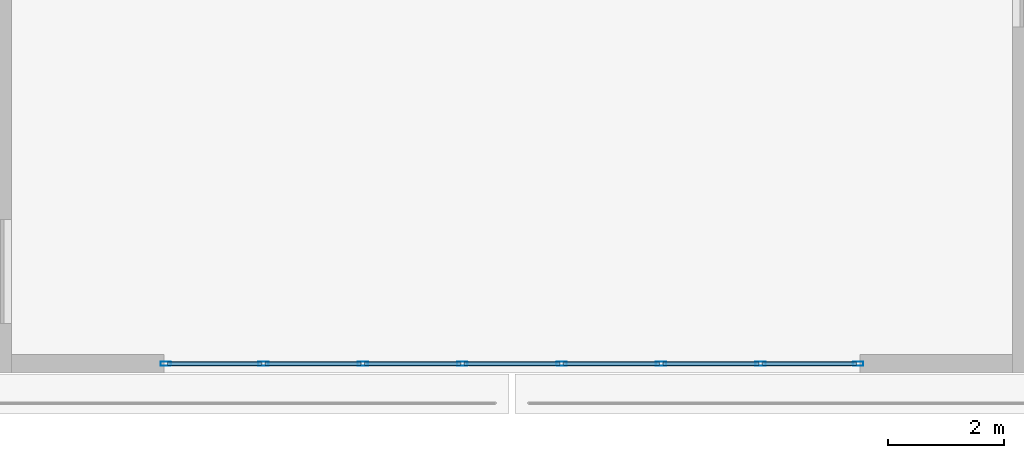
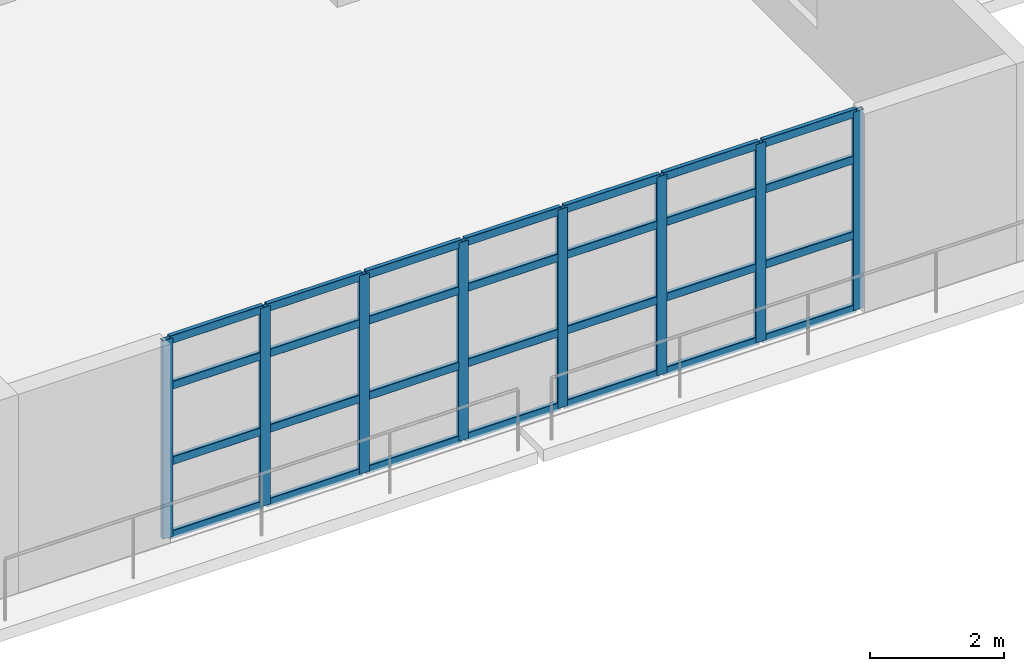
# One storey, part 2 of 23: 36 members, 1 element without a shape of its own.
"""IFC4 building model written with IfcOpenShell, lengths in metres."""

from ifc_helpers import new_model, si_unit, direction, frame, origin, origin_2d, place, context, subcontext, project, spatial, hollow_rectangle, extrude, material, layer, layer_set, material_profile, profile_set, type_object, element, aggregate, save


model = new_model("IFC4")

# Units and contexts
model_context = context("Model", 3, precision=1e-05, world=origin(), true_north=direction((0.0, 1.0)))
body_context = subcontext(model_context, "Body", "Model", "MODEL_VIEW")
ifc_project = project(units=[si_unit("LENGTHUNIT", "METRE"), si_unit("AREAUNIT", "SQUARE_METRE"), si_unit("VOLUMEUNIT", "CUBIC_METRE"), si_unit("PLANEANGLEUNIT", "RADIAN"), si_unit("MASSUNIT", "GRAM", prefix="KILO")], contexts=[model_context])

# Site, building, storey
site_placement = place(None, origin())
site = spatial("IfcSite", under=ifc_project, at=site_placement, CompositionType="ELEMENT")
building_placement = place(site_placement, origin())
building = spatial("IfcBuilding", under=site, at=building_placement, Name="Qingluan Cross Belvedere", CompositionType="ELEMENT")
storey_placement = place(building_placement, frame((0.0, 0.0, 5.39990234375)))
storey = spatial("IfcBuildingStorey", under=building, at=storey_placement, Name="L02", CompositionType="ELEMENT", Elevation=5.39990234375)

# Curtain wall, members
ifc_material_1 = material(Name="Thermally broken aluminium and Low-E glass", Category="aluminium")
ifc_layer = layer(ifc_material_1, 0.199951171875, Name="UnitisedCW_PodiumArrival")
ifc_layer_set = layer_set([ifc_layer], Name="Thermally broken aluminium and Low-E glass")
curtain_wall_type = type_object("IfcCurtainWallType", Name="UnitisedCW_PodiumArrival", PredefinedType="USERDEFINED", material=ifc_layer_set)
curtain_wall_placement = place(storey_placement, origin())
curtain_wall = element("IfcCurtainWall", 1, at=curtain_wall_placement, inside=storey, type_object=curtain_wall_type, Name="UnitisedCW_PodiumArrival run env:cw:L02:S", ObjectType="UNITISED CURTAIN WALL", PredefinedType="USERDEFINED")
ifc_material_2 = material(Name="Aluminium alloy 6063-T6", Category="aluminium")
ifc_material_profile_1 = material_profile(ifc_material_2, hollow_rectangle(XDim=0.074951171875, YDim=0.179931640625, WallThickness=0.00390625, InnerFilletRadius=0.00390625, OuterFilletRadius=0.008056640625, at=origin_2d()), Name="CWM180x75x4")
ifc_profile_set_1 = profile_set([ifc_material_profile_1], Name="Aluminium alloy 6063-T6")
member_type_1 = type_object("IfcMemberType", Name="CWMullion_180", PredefinedType="MULLION", material=ifc_profile_set_1)
member_1_placement = place(storey_placement, frame((5.969970703125, -38.340087890625, 0.0), z_axis=(0.0, 0.0, 1.0), x_axis=(0.0, -1.0, 0.0)))
member_1 = element("IfcMember", 2, at=member_1_placement, type_object=member_type_1, Name="CW-P1 mullion 1", PredefinedType="MULLION", context=body_context, shape_type="SweptSolid", body=[
    extrude(hollow_rectangle(XDim=0.074951171875, YDim=0.179931640625, WallThickness=0.00390625, InnerFilletRadius=0.00390625, OuterFilletRadius=0.008056640625, at=origin_2d()), origin(), (0.0, 0.0, 1.0), 3.630126953125),
])
member_2_placement = place(storey_placement, frame((4.28564453125, -38.340087890625, 0.0), z_axis=(0.0, 0.0, 1.0), x_axis=(0.0, -1.0, 0.0)))
member_2 = element("IfcMember", 3, at=member_2_placement, type_object=member_type_1, Name="CW-P1 mullion 2", PredefinedType="MULLION", context=body_context, shape_type="SweptSolid", body=[
    extrude(hollow_rectangle(XDim=0.074951171875, YDim=0.179931640625, WallThickness=0.00390625, InnerFilletRadius=0.00390625, OuterFilletRadius=0.008056640625, at=origin_2d()), origin(), (0.0, 0.0, 1.0), 3.630126953125),
])
member_3_placement = place(storey_placement, frame((2.571533203125, -38.340087890625, 0.0), z_axis=(0.0, 0.0, 1.0), x_axis=(0.0, -1.0, 0.0)))
member_3 = element("IfcMember", 4, at=member_3_placement, type_object=member_type_1, Name="CW-P1 mullion 3", PredefinedType="MULLION", context=body_context, shape_type="SweptSolid", body=[
    extrude(hollow_rectangle(XDim=0.074951171875, YDim=0.179931640625, WallThickness=0.00390625, InnerFilletRadius=0.00390625, OuterFilletRadius=0.008056640625, at=origin_2d()), origin(), (0.0, 0.0, 1.0), 3.630126953125),
])
member_4_placement = place(storey_placement, frame((0.857177734375, -38.340087890625, 0.0), z_axis=(0.0, 0.0, 1.0), x_axis=(0.0, -1.0, 0.0)))
member_4 = element("IfcMember", 5, at=member_4_placement, type_object=member_type_1, Name="CW-P1 mullion 4", PredefinedType="MULLION", context=body_context, shape_type="SweptSolid", body=[
    extrude(hollow_rectangle(XDim=0.074951171875, YDim=0.179931640625, WallThickness=0.00390625, InnerFilletRadius=0.00390625, OuterFilletRadius=0.008056640625, at=origin_2d()), origin(), (0.0, 0.0, 1.0), 3.630126953125),
])
member_5_placement = place(storey_placement, frame((-0.857177734375, -38.340087890625, 0.0), z_axis=(0.0, 0.0, 1.0), x_axis=(0.0, -1.0, 0.0)))
member_5 = element("IfcMember", 6, at=member_5_placement, type_object=member_type_1, Name="CW-P1 mullion 5", PredefinedType="MULLION", context=body_context, shape_type="SweptSolid", body=[
    extrude(hollow_rectangle(XDim=0.074951171875, YDim=0.179931640625, WallThickness=0.00390625, InnerFilletRadius=0.00390625, OuterFilletRadius=0.008056640625, at=origin_2d()), origin(), (0.0, 0.0, 1.0), 3.630126953125),
])
member_6_placement = place(storey_placement, frame((-2.571533203125, -38.340087890625, 0.0), z_axis=(0.0, 0.0, 1.0), x_axis=(0.0, -1.0, 0.0)))
member_6 = element("IfcMember", 7, at=member_6_placement, type_object=member_type_1, Name="CW-P1 mullion 6", PredefinedType="MULLION", context=body_context, shape_type="SweptSolid", body=[
    extrude(hollow_rectangle(XDim=0.074951171875, YDim=0.179931640625, WallThickness=0.00390625, InnerFilletRadius=0.00390625, OuterFilletRadius=0.008056640625, at=origin_2d()), origin(), (0.0, 0.0, 1.0), 3.630126953125),
])
member_7_placement = place(storey_placement, frame((-4.28564453125, -38.340087890625, 0.0), z_axis=(0.0, 0.0, 1.0), x_axis=(0.0, -1.0, 0.0)))
member_7 = element("IfcMember", 8, at=member_7_placement, type_object=member_type_1, Name="CW-P1 mullion 7", PredefinedType="MULLION", context=body_context, shape_type="SweptSolid", body=[
    extrude(hollow_rectangle(XDim=0.074951171875, YDim=0.179931640625, WallThickness=0.00390625, InnerFilletRadius=0.00390625, OuterFilletRadius=0.008056640625, at=origin_2d()), origin(), (0.0, 0.0, 1.0), 3.630126953125),
])
member_8_placement = place(storey_placement, frame((-5.969970703125, -38.340087890625, 0.0), z_axis=(0.0, 0.0, 1.0), x_axis=(0.0, -1.0, 0.0)))
member_8 = element("IfcMember", 9, at=member_8_placement, type_object=member_type_1, Name="CW-P1 mullion 8", PredefinedType="MULLION", context=body_context, shape_type="SweptSolid", body=[
    extrude(hollow_rectangle(XDim=0.074951171875, YDim=0.179931640625, WallThickness=0.00390625, InnerFilletRadius=0.00390625, OuterFilletRadius=0.008056640625, at=origin_2d()), origin(), (0.0, 0.0, 1.0), 3.630126953125),
])
ifc_material_3 = material(Name="Aluminium alloy 6063-T6", Category="aluminium")
ifc_material_profile_2 = material_profile(ifc_material_3, hollow_rectangle(XDim=0.074951171875, YDim=0.14990234375, WallThickness=0.00390625, InnerFilletRadius=0.00390625, OuterFilletRadius=0.008056640625, at=origin_2d()), Name="CWT150x75x4")
ifc_profile_set_2 = profile_set([ifc_material_profile_2], Name="Aluminium alloy 6063-T6")
member_type_2 = type_object("IfcMemberType", Name="CWTransom_150", PredefinedType="USERDEFINED", material=ifc_profile_set_2)
member_9_placement = place(storey_placement, frame((5.93994140625, -38.340087890625, 0.030029296875), z_axis=(-1.0, 0.0, 0.0), x_axis=(0.0, -1.0, 0.0)))
member_9 = element("IfcMember", 10, at=member_9_placement, type_object=member_type_2, Name="CW-P1 transom 1.1", ObjectType="TRANSOM", PredefinedType="USERDEFINED", context=body_context, shape_type="SweptSolid", body=[
    extrude(hollow_rectangle(XDim=0.074951171875, YDim=0.14990234375, WallThickness=0.00390625, InnerFilletRadius=0.00390625, OuterFilletRadius=0.008056640625, at=origin_2d()), origin(), (0.0, 0.0, 1.0), 1.624267578125),
])
member_10_placement = place(storey_placement, frame((5.93994140625, -38.340087890625, 1.379150390625), z_axis=(-1.0, 0.0, 0.0), x_axis=(0.0, -1.0, 0.0)))
member_10 = element("IfcMember", 11, at=member_10_placement, type_object=member_type_2, Name="CW-P1 transom 1.2", ObjectType="TRANSOM", PredefinedType="USERDEFINED", context=body_context, shape_type="SweptSolid", body=[
    extrude(hollow_rectangle(XDim=0.074951171875, YDim=0.14990234375, WallThickness=0.00390625, InnerFilletRadius=0.00390625, OuterFilletRadius=0.008056640625, at=origin_2d()), origin(), (0.0, 0.0, 1.0), 1.624267578125),
])
member_11_placement = place(storey_placement, frame((5.93994140625, -38.340087890625, 2.759033203125), z_axis=(-1.0, 0.0, 0.0), x_axis=(0.0, -1.0, 0.0)))
member_11 = element("IfcMember", 12, at=member_11_placement, type_object=member_type_2, Name="CW-P1 transom 1.3", ObjectType="TRANSOM", PredefinedType="USERDEFINED", context=body_context, shape_type="SweptSolid", body=[
    extrude(hollow_rectangle(XDim=0.074951171875, YDim=0.14990234375, WallThickness=0.00390625, InnerFilletRadius=0.00390625, OuterFilletRadius=0.008056640625, at=origin_2d()), origin(), (0.0, 0.0, 1.0), 1.624267578125),
])
member_12_placement = place(storey_placement, frame((5.93994140625, -38.340087890625, 3.60009765625), z_axis=(-1.0, 0.0, 0.0), x_axis=(0.0, -1.0, 0.0)))
member_12 = element("IfcMember", 13, at=member_12_placement, type_object=member_type_2, Name="CW-P1 transom 1.4", ObjectType="TRANSOM", PredefinedType="USERDEFINED", context=body_context, shape_type="SweptSolid", body=[
    extrude(hollow_rectangle(XDim=0.074951171875, YDim=0.14990234375, WallThickness=0.00390625, InnerFilletRadius=0.00390625, OuterFilletRadius=0.008056640625, at=origin_2d()), origin(), (0.0, 0.0, 1.0), 1.624267578125),
])
member_13_placement = place(storey_placement, frame((4.255615234375, -38.340087890625, 0.030029296875), z_axis=(-1.0, 0.0, 0.0), x_axis=(0.0, -1.0, 0.0)))
member_13 = element("IfcMember", 14, at=member_13_placement, type_object=member_type_2, Name="CW-P1 transom 2.1", ObjectType="TRANSOM", PredefinedType="USERDEFINED", context=body_context, shape_type="SweptSolid", body=[
    extrude(hollow_rectangle(XDim=0.074951171875, YDim=0.14990234375, WallThickness=0.00390625, InnerFilletRadius=0.00390625, OuterFilletRadius=0.008056640625, at=origin_2d()), origin(), (0.0, 0.0, 1.0), 1.654296875),
])
member_14_placement = place(storey_placement, frame((4.255615234375, -38.340087890625, 1.379150390625), z_axis=(-1.0, 0.0, 0.0), x_axis=(0.0, -1.0, 0.0)))
member_14 = element("IfcMember", 15, at=member_14_placement, type_object=member_type_2, Name="CW-P1 transom 2.2", ObjectType="TRANSOM", PredefinedType="USERDEFINED", context=body_context, shape_type="SweptSolid", body=[
    extrude(hollow_rectangle(XDim=0.074951171875, YDim=0.14990234375, WallThickness=0.00390625, InnerFilletRadius=0.00390625, OuterFilletRadius=0.008056640625, at=origin_2d()), origin(), (0.0, 0.0, 1.0), 1.654296875),
])
member_15_placement = place(storey_placement, frame((4.255615234375, -38.340087890625, 2.759033203125), z_axis=(-1.0, 0.0, 0.0), x_axis=(0.0, -1.0, 0.0)))
member_15 = element("IfcMember", 16, at=member_15_placement, type_object=member_type_2, Name="CW-P1 transom 2.3", ObjectType="TRANSOM", PredefinedType="USERDEFINED", context=body_context, shape_type="SweptSolid", body=[
    extrude(hollow_rectangle(XDim=0.074951171875, YDim=0.14990234375, WallThickness=0.00390625, InnerFilletRadius=0.00390625, OuterFilletRadius=0.008056640625, at=origin_2d()), origin(), (0.0, 0.0, 1.0), 1.654296875),
])
member_16_placement = place(storey_placement, frame((4.255615234375, -38.340087890625, 3.60009765625), z_axis=(-1.0, 0.0, 0.0), x_axis=(0.0, -1.0, 0.0)))
member_16 = element("IfcMember", 17, at=member_16_placement, type_object=member_type_2, Name="CW-P1 transom 2.4", ObjectType="TRANSOM", PredefinedType="USERDEFINED", context=body_context, shape_type="SweptSolid", body=[
    extrude(hollow_rectangle(XDim=0.074951171875, YDim=0.14990234375, WallThickness=0.00390625, InnerFilletRadius=0.00390625, OuterFilletRadius=0.008056640625, at=origin_2d()), origin(), (0.0, 0.0, 1.0), 1.654296875),
])
member_17_placement = place(storey_placement, frame((2.54150390625, -38.340087890625, 0.030029296875), z_axis=(-1.0, 0.0, 0.0), x_axis=(0.0, -1.0, 0.0)))
member_17 = element("IfcMember", 18, at=member_17_placement, type_object=member_type_2, Name="CW-P1 transom 3.1", ObjectType="TRANSOM", PredefinedType="USERDEFINED", context=body_context, shape_type="SweptSolid", body=[
    extrude(hollow_rectangle(XDim=0.074951171875, YDim=0.14990234375, WallThickness=0.00390625, InnerFilletRadius=0.00390625, OuterFilletRadius=0.008056640625, at=origin_2d()), origin(), (0.0, 0.0, 1.0), 1.654296875),
])
member_18_placement = place(storey_placement, frame((2.54150390625, -38.340087890625, 1.379150390625), z_axis=(-1.0, 0.0, 0.0), x_axis=(0.0, -1.0, 0.0)))
member_18 = element("IfcMember", 19, at=member_18_placement, type_object=member_type_2, Name="CW-P1 transom 3.2", ObjectType="TRANSOM", PredefinedType="USERDEFINED", context=body_context, shape_type="SweptSolid", body=[
    extrude(hollow_rectangle(XDim=0.074951171875, YDim=0.14990234375, WallThickness=0.00390625, InnerFilletRadius=0.00390625, OuterFilletRadius=0.008056640625, at=origin_2d()), origin(), (0.0, 0.0, 1.0), 1.654296875),
])
member_19_placement = place(storey_placement, frame((2.54150390625, -38.340087890625, 2.759033203125), z_axis=(-1.0, 0.0, 0.0), x_axis=(0.0, -1.0, 0.0)))
member_19 = element("IfcMember", 20, at=member_19_placement, type_object=member_type_2, Name="CW-P1 transom 3.3", ObjectType="TRANSOM", PredefinedType="USERDEFINED", context=body_context, shape_type="SweptSolid", body=[
    extrude(hollow_rectangle(XDim=0.074951171875, YDim=0.14990234375, WallThickness=0.00390625, InnerFilletRadius=0.00390625, OuterFilletRadius=0.008056640625, at=origin_2d()), origin(), (0.0, 0.0, 1.0), 1.654296875),
])
member_20_placement = place(storey_placement, frame((2.54150390625, -38.340087890625, 3.60009765625), z_axis=(-1.0, 0.0, 0.0), x_axis=(0.0, -1.0, 0.0)))
member_20 = element("IfcMember", 21, at=member_20_placement, type_object=member_type_2, Name="CW-P1 transom 3.4", ObjectType="TRANSOM", PredefinedType="USERDEFINED", context=body_context, shape_type="SweptSolid", body=[
    extrude(hollow_rectangle(XDim=0.074951171875, YDim=0.14990234375, WallThickness=0.00390625, InnerFilletRadius=0.00390625, OuterFilletRadius=0.008056640625, at=origin_2d()), origin(), (0.0, 0.0, 1.0), 1.654296875),
])
member_21_placement = place(storey_placement, frame((0.8271484375, -38.340087890625, 0.030029296875), z_axis=(-1.0, 0.0, 0.0), x_axis=(0.0, -1.0, 0.0)))
member_21 = element("IfcMember", 22, at=member_21_placement, type_object=member_type_2, Name="CW-P1 transom 4.1", ObjectType="TRANSOM", PredefinedType="USERDEFINED", context=body_context, shape_type="SweptSolid", body=[
    extrude(hollow_rectangle(XDim=0.074951171875, YDim=0.14990234375, WallThickness=0.00390625, InnerFilletRadius=0.00390625, OuterFilletRadius=0.008056640625, at=origin_2d()), origin(), (0.0, 0.0, 1.0), 1.654296875),
])
member_22_placement = place(storey_placement, frame((0.8271484375, -38.340087890625, 1.379150390625), z_axis=(-1.0, 0.0, 0.0), x_axis=(0.0, -1.0, 0.0)))
member_22 = element("IfcMember", 23, at=member_22_placement, type_object=member_type_2, Name="CW-P1 transom 4.2", ObjectType="TRANSOM", PredefinedType="USERDEFINED", context=body_context, shape_type="SweptSolid", body=[
    extrude(hollow_rectangle(XDim=0.074951171875, YDim=0.14990234375, WallThickness=0.00390625, InnerFilletRadius=0.00390625, OuterFilletRadius=0.008056640625, at=origin_2d()), origin(), (0.0, 0.0, 1.0), 1.654296875),
])
member_23_placement = place(storey_placement, frame((0.8271484375, -38.340087890625, 2.759033203125), z_axis=(-1.0, 0.0, 0.0), x_axis=(0.0, -1.0, 0.0)))
member_23 = element("IfcMember", 24, at=member_23_placement, type_object=member_type_2, Name="CW-P1 transom 4.3", ObjectType="TRANSOM", PredefinedType="USERDEFINED", context=body_context, shape_type="SweptSolid", body=[
    extrude(hollow_rectangle(XDim=0.074951171875, YDim=0.14990234375, WallThickness=0.00390625, InnerFilletRadius=0.00390625, OuterFilletRadius=0.008056640625, at=origin_2d()), origin(), (0.0, 0.0, 1.0), 1.654296875),
])
member_24_placement = place(storey_placement, frame((0.8271484375, -38.340087890625, 3.60009765625), z_axis=(-1.0, 0.0, 0.0), x_axis=(0.0, -1.0, 0.0)))
member_24 = element("IfcMember", 25, at=member_24_placement, type_object=member_type_2, Name="CW-P1 transom 4.4", ObjectType="TRANSOM", PredefinedType="USERDEFINED", context=body_context, shape_type="SweptSolid", body=[
    extrude(hollow_rectangle(XDim=0.074951171875, YDim=0.14990234375, WallThickness=0.00390625, InnerFilletRadius=0.00390625, OuterFilletRadius=0.008056640625, at=origin_2d()), origin(), (0.0, 0.0, 1.0), 1.654296875),
])
member_25_placement = place(storey_placement, frame((-0.88720703125, -38.340087890625, 0.030029296875), z_axis=(-1.0, 0.0, 0.0), x_axis=(0.0, -1.0, 0.0)))
member_25 = element("IfcMember", 26, at=member_25_placement, type_object=member_type_2, Name="CW-P1 transom 5.1", ObjectType="TRANSOM", PredefinedType="USERDEFINED", context=body_context, shape_type="SweptSolid", body=[
    extrude(hollow_rectangle(XDim=0.074951171875, YDim=0.14990234375, WallThickness=0.00390625, InnerFilletRadius=0.00390625, OuterFilletRadius=0.008056640625, at=origin_2d()), origin(), (0.0, 0.0, 1.0), 1.654296875),
])
member_26_placement = place(storey_placement, frame((-0.88720703125, -38.340087890625, 1.379150390625), z_axis=(-1.0, 0.0, 0.0), x_axis=(0.0, -1.0, 0.0)))
member_26 = element("IfcMember", 27, at=member_26_placement, type_object=member_type_2, Name="CW-P1 transom 5.2", ObjectType="TRANSOM", PredefinedType="USERDEFINED", context=body_context, shape_type="SweptSolid", body=[
    extrude(hollow_rectangle(XDim=0.074951171875, YDim=0.14990234375, WallThickness=0.00390625, InnerFilletRadius=0.00390625, OuterFilletRadius=0.008056640625, at=origin_2d()), origin(), (0.0, 0.0, 1.0), 1.654296875),
])
member_27_placement = place(storey_placement, frame((-0.88720703125, -38.340087890625, 2.759033203125), z_axis=(-1.0, 0.0, 0.0), x_axis=(0.0, -1.0, 0.0)))
member_27 = element("IfcMember", 28, at=member_27_placement, type_object=member_type_2, Name="CW-P1 transom 5.3", ObjectType="TRANSOM", PredefinedType="USERDEFINED", context=body_context, shape_type="SweptSolid", body=[
    extrude(hollow_rectangle(XDim=0.074951171875, YDim=0.14990234375, WallThickness=0.00390625, InnerFilletRadius=0.00390625, OuterFilletRadius=0.008056640625, at=origin_2d()), origin(), (0.0, 0.0, 1.0), 1.654296875),
])
member_28_placement = place(storey_placement, frame((-0.88720703125, -38.340087890625, 3.60009765625), z_axis=(-1.0, 0.0, 0.0), x_axis=(0.0, -1.0, 0.0)))
member_28 = element("IfcMember", 29, at=member_28_placement, type_object=member_type_2, Name="CW-P1 transom 5.4", ObjectType="TRANSOM", PredefinedType="USERDEFINED", context=body_context, shape_type="SweptSolid", body=[
    extrude(hollow_rectangle(XDim=0.074951171875, YDim=0.14990234375, WallThickness=0.00390625, InnerFilletRadius=0.00390625, OuterFilletRadius=0.008056640625, at=origin_2d()), origin(), (0.0, 0.0, 1.0), 1.654296875),
])
member_29_placement = place(storey_placement, frame((-2.601318359375, -38.340087890625, 0.030029296875), z_axis=(-1.0, 0.0, 0.0), x_axis=(0.0, -1.0, 0.0)))
member_29 = element("IfcMember", 30, at=member_29_placement, type_object=member_type_2, Name="CW-P1 transom 6.1", ObjectType="TRANSOM", PredefinedType="USERDEFINED", context=body_context, shape_type="SweptSolid", body=[
    extrude(hollow_rectangle(XDim=0.074951171875, YDim=0.14990234375, WallThickness=0.00390625, InnerFilletRadius=0.00390625, OuterFilletRadius=0.008056640625, at=origin_2d()), origin(), (0.0, 0.0, 1.0), 1.654296875),
])
member_30_placement = place(storey_placement, frame((-2.601318359375, -38.340087890625, 1.379150390625), z_axis=(-1.0, 0.0, 0.0), x_axis=(0.0, -1.0, 0.0)))
member_30 = element("IfcMember", 31, at=member_30_placement, type_object=member_type_2, Name="CW-P1 transom 6.2", ObjectType="TRANSOM", PredefinedType="USERDEFINED", context=body_context, shape_type="SweptSolid", body=[
    extrude(hollow_rectangle(XDim=0.074951171875, YDim=0.14990234375, WallThickness=0.00390625, InnerFilletRadius=0.00390625, OuterFilletRadius=0.008056640625, at=origin_2d()), origin(), (0.0, 0.0, 1.0), 1.654296875),
])
member_31_placement = place(storey_placement, frame((-2.601318359375, -38.340087890625, 2.759033203125), z_axis=(-1.0, 0.0, 0.0), x_axis=(0.0, -1.0, 0.0)))
member_31 = element("IfcMember", 32, at=member_31_placement, type_object=member_type_2, Name="CW-P1 transom 6.3", ObjectType="TRANSOM", PredefinedType="USERDEFINED", context=body_context, shape_type="SweptSolid", body=[
    extrude(hollow_rectangle(XDim=0.074951171875, YDim=0.14990234375, WallThickness=0.00390625, InnerFilletRadius=0.00390625, OuterFilletRadius=0.008056640625, at=origin_2d()), origin(), (0.0, 0.0, 1.0), 1.654296875),
])
member_32_placement = place(storey_placement, frame((-2.601318359375, -38.340087890625, 3.60009765625), z_axis=(-1.0, 0.0, 0.0), x_axis=(0.0, -1.0, 0.0)))
member_32 = element("IfcMember", 33, at=member_32_placement, type_object=member_type_2, Name="CW-P1 transom 6.4", ObjectType="TRANSOM", PredefinedType="USERDEFINED", context=body_context, shape_type="SweptSolid", body=[
    extrude(hollow_rectangle(XDim=0.074951171875, YDim=0.14990234375, WallThickness=0.00390625, InnerFilletRadius=0.00390625, OuterFilletRadius=0.008056640625, at=origin_2d()), origin(), (0.0, 0.0, 1.0), 1.654296875),
])
member_33_placement = place(storey_placement, frame((-4.315673828125, -38.340087890625, 0.030029296875), z_axis=(-1.0, 0.0, 0.0), x_axis=(0.0, -1.0, 0.0)))
member_33 = element("IfcMember", 34, at=member_33_placement, type_object=member_type_2, Name="CW-P1 transom 7.1", ObjectType="TRANSOM", PredefinedType="USERDEFINED", context=body_context, shape_type="SweptSolid", body=[
    extrude(hollow_rectangle(XDim=0.074951171875, YDim=0.14990234375, WallThickness=0.00390625, InnerFilletRadius=0.00390625, OuterFilletRadius=0.008056640625, at=origin_2d()), origin(), (0.0, 0.0, 1.0), 1.624267578125),
])
member_34_placement = place(storey_placement, frame((-4.315673828125, -38.340087890625, 1.379150390625), z_axis=(-1.0, 0.0, 0.0), x_axis=(0.0, -1.0, 0.0)))
member_34 = element("IfcMember", 35, at=member_34_placement, type_object=member_type_2, Name="CW-P1 transom 7.2", ObjectType="TRANSOM", PredefinedType="USERDEFINED", context=body_context, shape_type="SweptSolid", body=[
    extrude(hollow_rectangle(XDim=0.074951171875, YDim=0.14990234375, WallThickness=0.00390625, InnerFilletRadius=0.00390625, OuterFilletRadius=0.008056640625, at=origin_2d()), origin(), (0.0, 0.0, 1.0), 1.624267578125),
])
member_35_placement = place(storey_placement, frame((-4.315673828125, -38.340087890625, 2.759033203125), z_axis=(-1.0, 0.0, 0.0), x_axis=(0.0, -1.0, 0.0)))
member_35 = element("IfcMember", 36, at=member_35_placement, type_object=member_type_2, Name="CW-P1 transom 7.3", ObjectType="TRANSOM", PredefinedType="USERDEFINED", context=body_context, shape_type="SweptSolid", body=[
    extrude(hollow_rectangle(XDim=0.074951171875, YDim=0.14990234375, WallThickness=0.00390625, InnerFilletRadius=0.00390625, OuterFilletRadius=0.008056640625, at=origin_2d()), origin(), (0.0, 0.0, 1.0), 1.624267578125),
])
member_36_placement = place(storey_placement, frame((-4.315673828125, -38.340087890625, 3.60009765625), z_axis=(-1.0, 0.0, 0.0), x_axis=(0.0, -1.0, 0.0)))
member_36 = element("IfcMember", 37, at=member_36_placement, type_object=member_type_2, Name="CW-P1 transom 7.4", ObjectType="TRANSOM", PredefinedType="USERDEFINED", context=body_context, shape_type="SweptSolid", body=[
    extrude(hollow_rectangle(XDim=0.074951171875, YDim=0.14990234375, WallThickness=0.00390625, InnerFilletRadius=0.00390625, OuterFilletRadius=0.008056640625, at=origin_2d()), origin(), (0.0, 0.0, 1.0), 1.624267578125),
])
aggregate(curtain_wall, [member_1, member_2, member_3, member_4, member_5, member_6, member_7, member_8, member_9, member_10, member_11, member_12, member_13, member_14, member_15, member_16, member_17, member_18, member_19, member_20, member_21, member_22, member_23, member_24, member_25, member_26, member_27, member_28, member_29, member_30, member_31, member_32, member_33, member_34, member_35, member_36])

save(model, "model.ifc")
